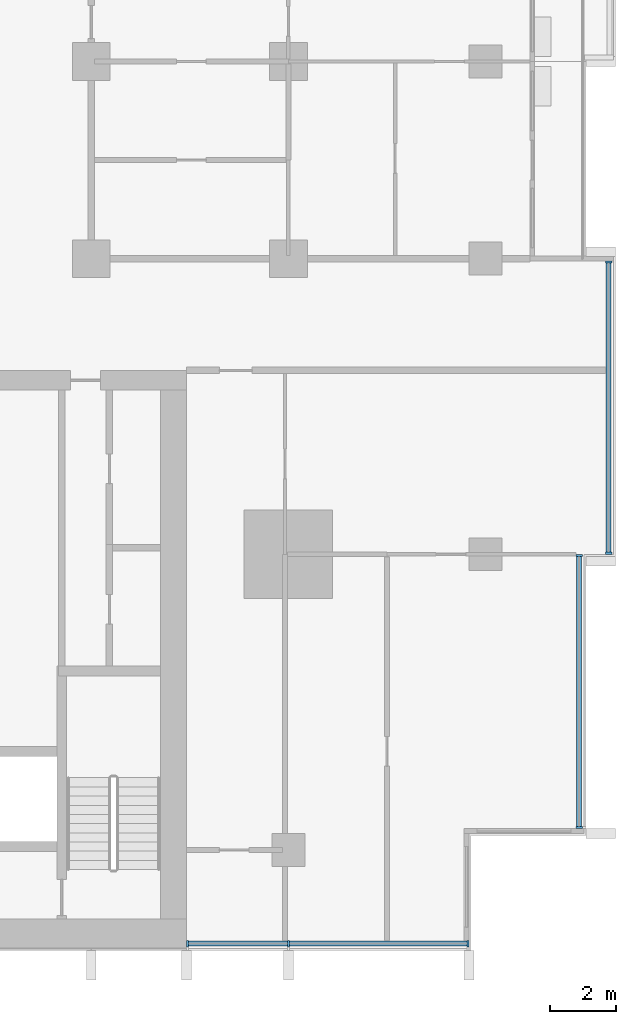
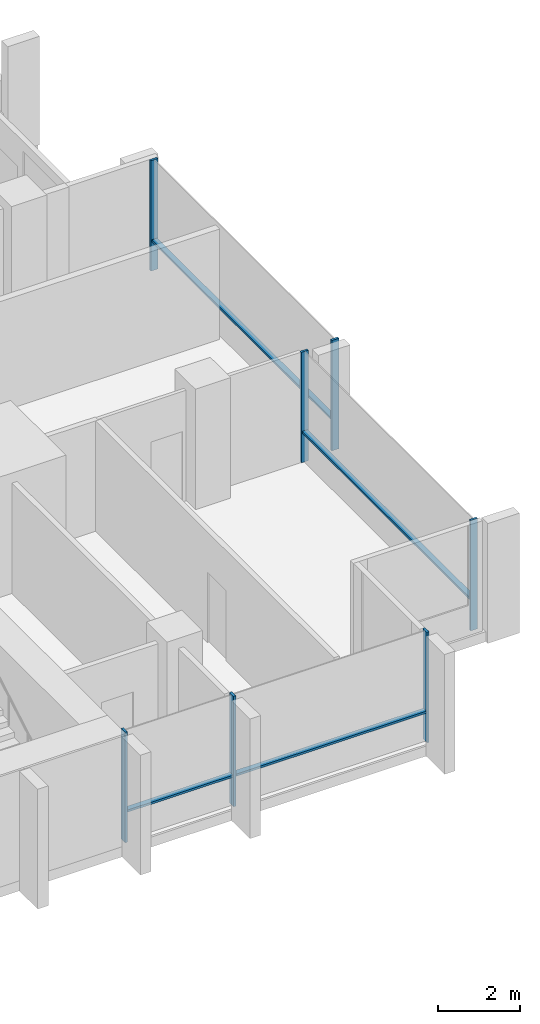
# One storey, part 3 of 18: 11 members, 3 elements without a shape of their own.
"""IFC4 building model written with IfcOpenShell, lengths in metres."""

from ifc_helpers import new_model, si_unit, direction, frame, origin, origin_2d, place, context, subcontext, project, spatial, rectangle, extrude, material, material_profile, profile_set, type_object, element, aggregate, save


model = new_model("IFC4")

# Units and contexts
model_context = context("Model", 3, precision=1e-05, world=origin(), true_north=direction((0.0, 1.0)))
body_context = subcontext(model_context, "Body", "Model", "MODEL_VIEW")
ifc_project = project(units=[si_unit("LENGTHUNIT", "METRE"), si_unit("AREAUNIT", "SQUARE_METRE"), si_unit("VOLUMEUNIT", "CUBIC_METRE"), si_unit("PLANEANGLEUNIT", "RADIAN"), si_unit("MASSUNIT", "GRAM", prefix="KILO")], contexts=[model_context])

# Site, building, storey
site_placement = place(None, origin())
site = spatial("IfcSite", under=ifc_project, at=site_placement, CompositionType="ELEMENT")
building_placement = place(site_placement, origin())
building = spatial("IfcBuilding", under=site, at=building_placement, Name="Finial Court Residences", CompositionType="ELEMENT")
storey_placement = place(building_placement, frame((0.0, 0.0, 109.89990234375)))
storey = spatial("IfcBuildingStorey", under=building, at=storey_placement, Name="L27", CompositionType="ELEMENT", Elevation=109.89990234375)

# Curtain wall, members
ifc_material = material(Name="Bronze anodised aluminium", Category="aluminium")
curtain_wall_type = type_object("IfcCurtainWallType", Name="Unitised curtain wall, lower and middle zones", PredefinedType="NOTDEFINED", material=ifc_material)
curtain_wall_1_placement = place(storey_placement, origin())
curtain_wall_1 = element("IfcCurtainWall", 1, at=curtain_wall_1_placement, inside=storey, type_object=curtain_wall_type, Name="E-L27-CW-E4", PredefinedType="NOTDEFINED")
ifc_material_profile_1 = material_profile(ifc_material, rectangle(XDim=0.199951171875, YDim=0.06494140625, at=origin_2d()), Name="CW1 mullion 65 x 200")
ifc_profile_set_1 = profile_set([ifc_material_profile_1], Name="Bronze anodised aluminium")
member_type_1 = type_object("IfcMemberType", Name="CW1 mullion 65 x 200", PredefinedType="MULLION", material=ifc_profile_set_1)
member_1_placement = place(storey_placement, frame((25.35009765625, -21.8173828125, 0.0), z_axis=(0.0, 0.0, 1.0), x_axis=(-1.0, 0.0, 0.0)))
member_1 = element("IfcMember", 2, at=member_1_placement, type_object=member_type_1, Name="CW1 mullion 1", PredefinedType="MULLION", context=body_context, shape_type="SweptSolid", body=[
    extrude(rectangle(XDim=0.199951171875, YDim=0.06494140625, at=origin_2d()), origin(), (0.0, 0.0, 1.0), 3.300048828125),
])
member_2_placement = place(storey_placement, frame((25.35009765625, -13.532470703125, 0.0), z_axis=(0.0, 0.0, 1.0), x_axis=(-1.0, 0.0, 0.0)))
member_2 = element("IfcMember", 3, at=member_2_placement, type_object=member_type_1, Name="CW1 mullion 2", PredefinedType="MULLION", context=body_context, shape_type="SweptSolid", body=[
    extrude(rectangle(XDim=0.199951171875, YDim=0.06494140625, at=origin_2d()), origin(), (0.0, 0.0, 1.0), 3.300048828125),
])

curtain_wall_2_placement = place(storey_placement, origin())
curtain_wall_2 = element("IfcCurtainWall", 4, at=curtain_wall_2_placement, inside=storey, type_object=curtain_wall_type, Name="E-L27-CW-E5", PredefinedType="NOTDEFINED")
member_3_placement = place(storey_placement, frame((26.25, -13.467529296875, 0.0), z_axis=(0.0, 0.0, 1.0), x_axis=(-1.0, 0.0, 0.0)))
member_3 = element("IfcMember", 5, at=member_3_placement, type_object=member_type_1, Name="CW1 mullion 1", PredefinedType="MULLION", context=body_context, shape_type="SweptSolid", body=[
    extrude(rectangle(XDim=0.199951171875, YDim=0.06494140625, at=origin_2d()), origin(), (0.0, 0.0, 1.0), 3.300048828125),
])
member_4_placement = place(storey_placement, frame((26.25, -4.607421875, 0.0), z_axis=(0.0, 0.0, 1.0), x_axis=(-1.0, 0.0, 0.0)))
member_4 = element("IfcMember", 6, at=member_4_placement, type_object=member_type_1, Name="CW1 mullion 2", PredefinedType="MULLION", context=body_context, shape_type="SweptSolid", body=[
    extrude(rectangle(XDim=0.199951171875, YDim=0.06494140625, at=origin_2d()), origin(), (0.0, 0.0, 1.0), 3.300048828125),
])

curtain_wall_3_placement = place(storey_placement, origin())
curtain_wall_3 = element("IfcCurtainWall", 7, at=curtain_wall_3_placement, inside=storey, type_object=curtain_wall_type, Name="E-L27-CW-S8", PredefinedType="NOTDEFINED")
member_5_placement = place(storey_placement, frame((13.4326171875, -25.35009765625, 0.0), z_axis=(0.0, 0.0, 1.0), x_axis=(0.0, 1.0, 0.0)))
member_5 = element("IfcMember", 8, at=member_5_placement, type_object=member_type_1, Name="CW1 mullion 1", PredefinedType="MULLION", context=body_context, shape_type="SweptSolid", body=[
    extrude(rectangle(XDim=0.199951171875, YDim=0.06494140625, at=origin_2d()), origin(), (0.0, 0.0, 1.0), 3.300048828125),
])
member_6_placement = place(storey_placement, frame((16.5, -25.35009765625, 0.0), z_axis=(0.0, 0.0, 1.0), x_axis=(0.0, 1.0, 0.0)))
member_6 = element("IfcMember", 9, at=member_6_placement, type_object=member_type_1, Name="CW1 mullion 2", PredefinedType="MULLION", context=body_context, shape_type="SweptSolid", body=[
    extrude(rectangle(XDim=0.199951171875, YDim=0.06494140625, at=origin_2d()), origin(), (0.0, 0.0, 1.0), 3.300048828125),
])
member_7_placement = place(storey_placement, frame((21.967529296875, -25.35009765625, 0.0), z_axis=(0.0, 0.0, 1.0), x_axis=(0.0, 1.0, 0.0)))
member_7 = element("IfcMember", 10, at=member_7_placement, type_object=member_type_1, Name="CW1 mullion 3", PredefinedType="MULLION", context=body_context, shape_type="SweptSolid", body=[
    extrude(rectangle(XDim=0.199951171875, YDim=0.06494140625, at=origin_2d()), origin(), (0.0, 0.0, 1.0), 3.300048828125),
])

# Member
ifc_material_profile_2 = material_profile(ifc_material, rectangle(XDim=0.14990234375, YDim=0.06494140625, at=origin_2d()), Name="CW1 transom 65 x 150")
ifc_profile_set_2 = profile_set([ifc_material_profile_2], Name="Bronze anodised aluminium")
member_type_2 = type_object("IfcMemberType", Name="CW1 transom 65 x 150", PredefinedType="USERDEFINED", material=ifc_profile_set_2)
member_8_placement = place(storey_placement, frame((25.35009765625, -21.784912109375, 0.900146484375), z_axis=(0.0, 1.0, 0.0), x_axis=(-1.0, 0.0, 0.0)))
member_8 = element("IfcMember", 11, at=member_8_placement, type_object=member_type_2, Name="CW1 transom 1.1", ObjectType="TRANSOM", PredefinedType="USERDEFINED", context=body_context, shape_type="SweptSolid", body=[
    extrude(rectangle(XDim=0.14990234375, YDim=0.06494140625, at=origin_2d()), origin(), (0.0, 0.0, 1.0), 8.219970703125),
])

aggregate(curtain_wall_1, [member_1, member_2, member_8])

member_9_placement = place(storey_placement, frame((26.25, -13.43505859375, 0.900146484375), z_axis=(0.0, 1.0, 0.0), x_axis=(-1.0, 0.0, 0.0)))
member_9 = element("IfcMember", 12, at=member_9_placement, type_object=member_type_2, Name="CW1 transom 1.1", ObjectType="TRANSOM", PredefinedType="USERDEFINED", context=body_context, shape_type="SweptSolid", body=[
    extrude(rectangle(XDim=0.14990234375, YDim=0.06494140625, at=origin_2d()), origin(), (0.0, 0.0, 1.0), 8.795166015625),
])

aggregate(curtain_wall_2, [member_3, member_4, member_9])

member_10_placement = place(storey_placement, frame((13.465087890625, -25.35009765625, 0.900146484375), z_axis=(1.0, 0.0, 0.0), x_axis=(0.0, 1.0, 0.0)))
member_10 = element("IfcMember", 13, at=member_10_placement, type_object=member_type_2, Name="CW1 transom 1.1", ObjectType="TRANSOM", PredefinedType="USERDEFINED", context=body_context, shape_type="SweptSolid", body=[
    extrude(rectangle(XDim=0.14990234375, YDim=0.06494140625, at=origin_2d()), origin(), (0.0, 0.0, 1.0), 3.00244140625),
])

member_11_placement = place(storey_placement, frame((16.532470703125, -25.35009765625, 0.900146484375), z_axis=(1.0, 0.0, 0.0), x_axis=(0.0, 1.0, 0.0)))
member_11 = element("IfcMember", 14, at=member_11_placement, type_object=member_type_2, Name="CW1 transom 2.1", ObjectType="TRANSOM", PredefinedType="USERDEFINED", context=body_context, shape_type="SweptSolid", body=[
    extrude(rectangle(XDim=0.14990234375, YDim=0.06494140625, at=origin_2d()), origin(), (0.0, 0.0, 1.0), 5.402587890625),
])

aggregate(curtain_wall_3, [member_5, member_6, member_7, member_10, member_11])

save(model, "model.ifc")
